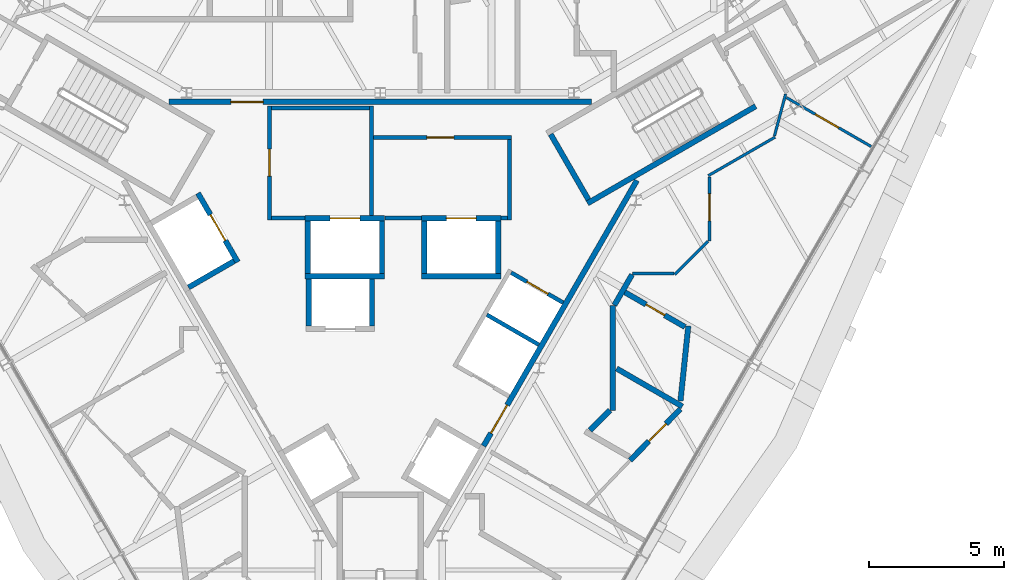
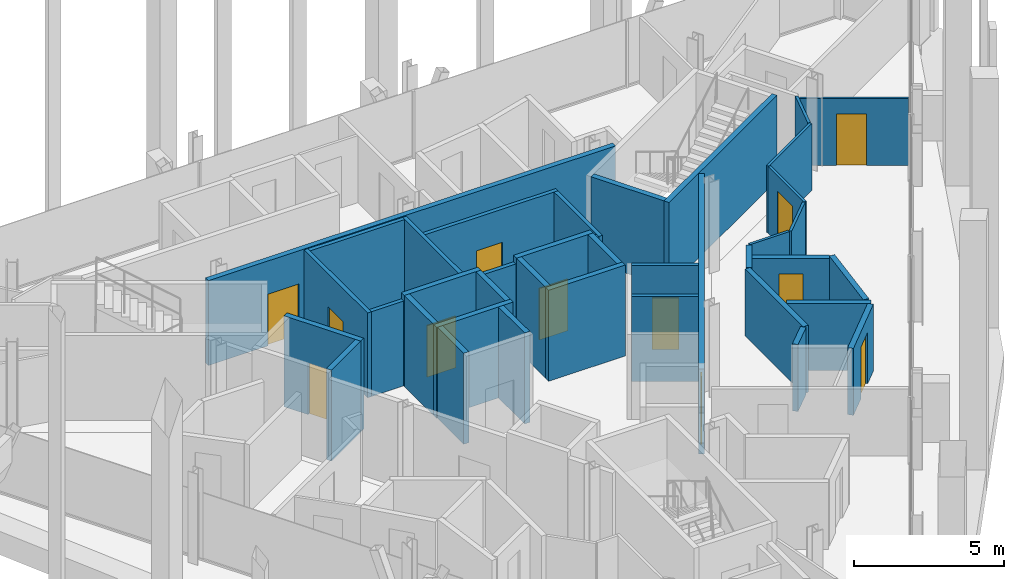
# One storey, part 9 of 13: 39 walls, 12 doors, 12 openings.
"""IFC4 building model written with IfcOpenShell, lengths in metres."""

from ifc_helpers import new_model, si_unit, direction, frame, frame_2d, origin, place, context, subcontext, project, spatial, rectangle, extrude, material, layer, layer_set, type_object, element, fill, save


model = new_model("IFC4")

# Units and contexts
model_context = context("Model", 3, precision=1e-05, world=origin(), true_north=direction((0.0, 1.0)))
body_context = subcontext(model_context, "Body", "Model", "MODEL_VIEW")
ifc_project = project(units=[si_unit("LENGTHUNIT", "METRE"), si_unit("AREAUNIT", "SQUARE_METRE"), si_unit("VOLUMEUNIT", "CUBIC_METRE"), si_unit("PLANEANGLEUNIT", "RADIAN"), si_unit("MASSUNIT", "GRAM", prefix="KILO")], contexts=[model_context])

# Site, building, storey
site_placement = place(None, origin())
site = spatial("IfcSite", under=ifc_project, at=site_placement, CompositionType="ELEMENT")
building_placement = place(site_placement, origin())
building = spatial("IfcBuilding", under=site, at=building_placement, Name="Verrane Prism Tower", CompositionType="ELEMENT")
storey_placement = place(building_placement, frame((0.0, 0.0, 286.199951171875)))
storey = spatial("IfcBuildingStorey", under=building, at=storey_placement, Name="L72", CompositionType="ELEMENT", Elevation=286.199951171875)

# Wall, opening, door
ifc_material_1 = material(Name="Gypsum board partition", Category="other")
ifc_layer_1 = layer(ifc_material_1, 0.199951171875)
ifc_layer_set_1 = layer_set([ifc_layer_1], Name="CW-200 core boundary wall 2 h")
wall_type_1 = type_object("IfcWallType", Name="CW-200 core boundary wall 2 h", PredefinedType="PARTITIONING", material=ifc_layer_set_1)
wall_1_placement = place(storey_placement, frame((7.8291015625, 6.4599609375, 0.0), z_axis=(0.0, 0.0, 1.0), x_axis=(-1.0, 0.0, 0.0)))
wall_1 = element("IfcWall", 1, at=wall_1_placement, inside=storey, type_object=wall_type_1, Name="Core boundary wall CW3-002", PredefinedType="PARTITIONING", context=body_context, shape_type="SweptSolid", body=[
    extrude(rectangle(XDim=15.658203125, YDim=0.199951171875, at=frame_2d((7.8291015625, 0.0))), origin(), (0.0, 0.0, 1.0), 3.449951171875),
])
opening_1_placement = place(wall_1_placement, frame((12.16796875, 0.0, 0.0)))
opening_1 = element("IfcOpeningElement", 2, at=opening_1_placement, cuts=wall_1, Name="Opening D72509", PredefinedType="OPENING", context=body_context, shape_type="SweptSolid", body=[
    extrude(rectangle(XDim=1.199951171875, YDim=2.10009765625, at=frame_2d((0.60009765625, 1.050048828125))), frame((0.0, 0.10986328125, 0.0), z_axis=(0.0, -1.0, 0.0), x_axis=(1.0, 0.0, 0.0)), (0.0, 0.0, 1.0), 0.219970703125),
])
ifc_material_2 = material(Name="Timber veneered door leaf", Category="wood")
door_type_1 = type_object("IfcDoorType", Name="DR-1200x2100 FD60 single leaf lift lobby", OperationType="NOTDEFINED", PredefinedType="DOOR", material=ifc_material_2)
door_1_placement = place(opening_1_placement, origin())
door_1 = element("IfcDoor", 3, at=door_1_placement, inside=storey, type_object=door_type_1, Name="Lift lobby door D72509", OperationType="SINGLE_SWING_RIGHT", OverallHeight=2.10009765625, OverallWidth=1.199951171875, PredefinedType="DOOR", context=body_context, shape_type="SweptSolid", body=[
    extrude(rectangle(XDim=1.199951171875, YDim=2.10009765625, at=frame_2d((0.60009765625, 1.050048828125))), frame((0.0, 0.02490234375, 0.0), z_axis=(0.0, -1.0, 0.0), x_axis=(1.0, 0.0, 0.0)), (0.0, 0.0, 1.0), 0.050048828125),
])
fill(opening_1, door_1)

wall_2_placement = place(storey_placement, frame((3.827880859375, -6.2900390625, 0.0), z_axis=(0.0, 0.0, 1.0), x_axis=(0.499979739078, 0.866037101117, 0.0)))
wall_2 = element("IfcWall", 4, at=wall_2_placement, inside=storey, type_object=wall_type_1, Name="Core boundary wall CW3-006", PredefinedType="PARTITIONING", context=body_context, shape_type="SweptSolid", body=[
    extrude(rectangle(XDim=11.36279296875, YDim=0.199951171875, at=frame_2d((5.681396484375, 0.0))), origin(), (0.0, 0.0, 1.0), 3.449951171875),
])
opening_2_placement = place(wall_2_placement, frame((0.550048828125, 0.0, 0.0)))
opening_2 = element("IfcOpeningElement", 5, at=opening_2_placement, cuts=wall_2, Name="Opening D72514", PredefinedType="OPENING", context=body_context, shape_type="SweptSolid", body=[
    extrude(rectangle(XDim=1.199951171875, YDim=2.10009765625, at=frame_2d((0.60009765625, 1.050048828125))), frame((0.0, 0.10986328125, 0.0), z_axis=(0.0, -1.0, 0.0), x_axis=(1.0, 0.0, 0.0)), (0.0, 0.0, 1.0), 0.219970703125),
])
door_2_placement = place(opening_2_placement, origin())
door_2 = element("IfcDoor", 6, at=door_2_placement, inside=storey, type_object=door_type_1, Name="Lift lobby door D72514", OperationType="SINGLE_SWING_RIGHT", OverallHeight=2.10009765625, OverallWidth=1.199951171875, PredefinedType="DOOR", context=body_context, shape_type="SweptSolid", body=[
    extrude(rectangle(XDim=1.199951171875, YDim=2.10009765625, at=frame_2d((0.60009765625, 1.050048828125))), frame((0.0, 0.02490234375, 0.0), z_axis=(0.0, -1.0, 0.0), x_axis=(1.0, 0.0, 0.0)), (0.0, 0.0, 1.0), 0.050048828125),
])
fill(opening_2, door_2)

# Walls
ifc_material_3 = material(Name="Concrete C40/50", Category="concrete")
ifc_layer_2 = layer(ifc_material_3, 0.199951171875)
ifc_layer_set_2 = layer_set([ifc_layer_2], Name="CW-200 stair core wall concrete C40/50 3 h")
wall_type_2 = type_object("IfcWallType", Name="CW-200 stair core wall concrete C40/50 3 h", PredefinedType="PARTITIONING", material=ifc_layer_set_2)
wall_3_placement = place(storey_placement, frame((7.67822265625, 2.700927734375, 0.0), z_axis=(0.0, 0.0, 1.0), x_axis=(0.866018442252, 0.500012057535, 0.0)))
element("IfcWall", 7, at=wall_3_placement, inside=storey, type_object=wall_type_2, Name="Stair 1 enclosure wall", PredefinedType="PARTITIONING", context=body_context, shape_type="SweptSolid", body=[
    extrude(rectangle(XDim=7.199951171875, YDim=0.199951171875, at=frame_2d((3.60009765625, 0.0))), origin(), (0.0, 0.0, 1.0), 3.449951171875),
])
wall_4_placement = place(storey_placement, frame((7.71484375, 2.837646484375, 0.0), z_axis=(0.0, 0.0, 1.0), x_axis=(-0.500049511043, 0.865996816683, 0.0)))
element("IfcWall", 8, at=wall_4_placement, inside=storey, type_object=wall_type_2, Name="Stair 1 enclosure wall", PredefinedType="PARTITIONING", context=body_context, shape_type="SweptSolid", body=[
    extrude(rectangle(XDim=2.800048828125, YDim=0.199951171875, at=frame_2d((1.39990234375, 0.0))), origin(), (0.0, 0.0, 1.0), 3.449951171875),
])
ifc_material_4 = material(Name="Gypsum board shaft wall assembly", Category="other")
ifc_layer_3 = layer(ifc_material_4, 0.199951171875)
ifc_layer_set_3 = layer_set([ifc_layer_3], Name="HW-200 lift shaft wall 2 h")
wall_type_3 = type_object("IfcWallType", Name="HW-200 lift shaft wall 2 h", PredefinedType="PARTITIONING", material=ifc_layer_set_3)
wall_5_placement = place(storey_placement, frame((-2.784912109375, 0.0, 0.0), z_axis=(0.0, 0.0, 1.0), x_axis=(1.0, 0.0, 0.0)))
element("IfcWall", 9, at=wall_5_placement, inside=storey, type_object=wall_type_3, Name="Lift shaft wall", PredefinedType="PARTITIONING", context=body_context, shape_type="SweptSolid", body=[
    extrude(rectangle(XDim=2.949951171875, YDim=0.199951171875, at=frame_2d((1.47509765625, 0.0))), origin(), (0.0, 0.0, 1.0), 3.699951171875),
])
wall_6_placement = place(storey_placement, frame((1.52490234375, 0.0, 0.0), z_axis=(0.0, 0.0, 1.0), x_axis=(1.0, 0.0, 0.0)))
element("IfcWall", 10, at=wall_6_placement, inside=storey, type_object=wall_type_3, Name="Lift shaft wall", PredefinedType="PARTITIONING", context=body_context, shape_type="SweptSolid", body=[
    extrude(rectangle(XDim=2.9501953125, YDim=0.199951171875, at=frame_2d((1.47509765625, 0.0))), origin(), (0.0, 0.0, 1.0), 3.699951171875),
])

# Wall, opening, door
wall_7_placement = place(storey_placement, frame((-2.784912109375, 2.14990234375, 0.0), z_axis=(0.0, 0.0, 1.0), x_axis=(1.0, 0.0, 0.0)))
wall_7 = element("IfcWall", 11, at=wall_7_placement, inside=storey, type_object=wall_type_3, Name="Lift shaft wall", PredefinedType="PARTITIONING", context=body_context, shape_type="SweptSolid", body=[
    extrude(rectangle(XDim=2.949951171875, YDim=0.199951171875, at=frame_2d((1.47509765625, 0.0))), origin(), (0.0, 0.0, 1.0), 3.699951171875),
])
opening_3_placement = place(wall_7_placement, frame((0.925048828125, 0.0, 0.0)))
opening_3 = element("IfcOpeningElement", 12, at=opening_3_placement, cuts=wall_7, Name="Opening D72506", PredefinedType="OPENING", context=body_context, shape_type="SweptSolid", body=[
    extrude(rectangle(XDim=1.10009765625, YDim=2.10009765625, at=frame_2d((0.550048828125, 1.050048828125))), frame((0.0, 0.10986328125, 0.0), z_axis=(0.0, -1.0, 0.0), x_axis=(1.0, 0.0, 0.0)), (0.0, 0.0, 1.0), 0.219970703125),
])
ifc_material_5 = material(Name="Stainless steel sliding landing door", Category="steel")
door_type_2 = type_object("IfcDoorType", Name="LD-1100x2100 lift landing door FD90 sliding", OperationType="NOTDEFINED", PredefinedType="DOOR", material=ifc_material_5)
door_3_placement = place(opening_3_placement, origin())
door_3 = element("IfcDoor", 13, at=door_3_placement, inside=storey, type_object=door_type_2, Name="Fire service lift 1 landing door", OperationType="SLIDING_TO_LEFT", OverallHeight=2.10009765625, OverallWidth=1.10009765625, PredefinedType="DOOR", context=body_context, shape_type="SweptSolid", body=[
    extrude(rectangle(XDim=1.10009765625, YDim=2.10009765625, at=frame_2d((0.550048828125, 1.050048828125))), frame((0.0, 0.02490234375, 0.0), z_axis=(0.0, -1.0, 0.0), x_axis=(1.0, 0.0, 0.0)), (0.0, 0.0, 1.0), 0.050048828125),
])
fill(opening_3, door_3)

wall_8_placement = place(storey_placement, frame((1.52490234375, 2.14990234375, 0.0), z_axis=(0.0, 0.0, 1.0), x_axis=(1.0, 0.0, 0.0)))
wall_8 = element("IfcWall", 14, at=wall_8_placement, inside=storey, type_object=wall_type_3, Name="Lift shaft wall", PredefinedType="PARTITIONING", context=body_context, shape_type="SweptSolid", body=[
    extrude(rectangle(XDim=2.9501953125, YDim=0.199951171875, at=frame_2d((1.47509765625, 0.0))), origin(), (0.0, 0.0, 1.0), 3.699951171875),
])
opening_4_placement = place(wall_8_placement, frame((0.925048828125, 0.0, 0.0)))
opening_4 = element("IfcOpeningElement", 15, at=opening_4_placement, cuts=wall_8, Name="Opening D72507", PredefinedType="OPENING", context=body_context, shape_type="SweptSolid", body=[
    extrude(rectangle(XDim=1.10009765625, YDim=2.10009765625, at=frame_2d((0.550048828125, 1.050048828125))), frame((0.0, 0.10986328125, 0.0), z_axis=(0.0, -1.0, 0.0), x_axis=(1.0, 0.0, 0.0)), (0.0, 0.0, 1.0), 0.219970703125),
])
door_4_placement = place(opening_4_placement, origin())
door_4 = element("IfcDoor", 16, at=door_4_placement, inside=storey, type_object=door_type_2, Name="Fire service lift 2 landing door", OperationType="SLIDING_TO_RIGHT", OverallHeight=2.10009765625, OverallWidth=1.10009765625, PredefinedType="DOOR", context=body_context, shape_type="SweptSolid", body=[
    extrude(rectangle(XDim=1.10009765625, YDim=2.10009765625, at=frame_2d((0.550048828125, 1.050048828125))), frame((0.0, 0.02490234375, 0.0), z_axis=(0.0, -1.0, 0.0), x_axis=(1.0, 0.0, 0.0)), (0.0, 0.0, 1.0), 0.050048828125),
])
fill(opening_4, door_4)

# Walls
for number, where, z_axis, x_axis, name in (
    (17, (-7.10546875, -0.4130859375, 0.0), (0.0, 0.0, 1.0), (0.866000020948, 0.500043961785, 0.0), "Lift shaft wall"),
    (18, (4.375, 0.10009765625, 0.0), (0.0, 0.0, 1.0), (0.0, 1.0, 0.0), "Lift shaft wall"),
    (19, (1.625, 0.10009765625, 0.0), (0.0, 0.0, 1.0), (0.0, 1.0, 0.0), "Lift shaft wall"),
    (20, (0.06494140625, 0.10009765625, 0.0), (0.0, 0.0, 1.0), (0.0, 1.0, 0.0), "Lift shaft wall"),
):
    element("IfcWall", number, at=place(storey_placement, frame(where, z_axis=z_axis, x_axis=x_axis)), inside=storey, type_object=wall_type_3, Name=name, PredefinedType="PARTITIONING", context=body_context, shape_type="SweptSolid", body=[
        extrude(rectangle(XDim=1.949951171875, YDim=0.199951171875, at=frame_2d((0.97509765625, 0.0))), origin(), (0.0, 0.0, 1.0), 3.699951171875),
    ])
for number, where, z_axis, x_axis, name in (
    (21, (-0.304931640625, -1.85009765625, 0.0), (0.0, 0.0, 1.0), (0.0, 1.0, 0.0), "Lift shaft wall"),
    (22, (-2.655029296875, -1.85009765625, 0.0), (0.0, 0.0, 1.0), (0.0, 1.0, 0.0), "Lift shaft wall"),
):
    element("IfcWall", number, at=place(storey_placement, frame(where, z_axis=z_axis, x_axis=x_axis)), inside=storey, type_object=wall_type_3, Name=name, PredefinedType="PARTITIONING", context=body_context, shape_type="SweptSolid", body=[
        extrude(rectangle(XDim=1.75, YDim=0.199951171875, at=frame_2d((0.875, 0.0))), origin(), (0.0, 0.0, 1.0), 3.699951171875),
    ])
wall_9_placement = place(storey_placement, frame((-2.68505859375, 0.10009765625, 0.0), z_axis=(0.0, 0.0, 1.0), x_axis=(0.0, 1.0, 0.0)))
element("IfcWall", 23, at=wall_9_placement, inside=storey, type_object=wall_type_3, Name="Lift shaft wall", PredefinedType="PARTITIONING", context=body_context, shape_type="SweptSolid", body=[
    extrude(rectangle(XDim=1.949951171875, YDim=0.199951171875, at=frame_2d((0.97509765625, 0.0))), origin(), (0.0, 0.0, 1.0), 3.699951171875),
])

# Wall, opening, door
wall_10_placement = place(storey_placement, frame((-5.280029296875, 0.525390625, 0.0), z_axis=(0.0, 0.0, 1.0), x_axis=(-0.500037662692, 0.866003658127, 0.0)))
wall_10 = element("IfcWall", 24, at=wall_10_placement, inside=storey, type_object=wall_type_3, Name="Lift shaft wall", PredefinedType="PARTITIONING", context=body_context, shape_type="SweptSolid", body=[
    extrude(rectangle(XDim=2.949951171875, YDim=0.199951171875, at=frame_2d((1.47509765625, 0.0))), origin(), (0.0, 0.0, 1.0), 3.699951171875),
])
opening_5_placement = place(wall_10_placement, frame((0.925048828125, 0.0, 0.0)))
opening_5 = element("IfcOpeningElement", 25, at=opening_5_placement, cuts=wall_10, Name="Opening D72508", PredefinedType="OPENING", context=body_context, shape_type="SweptSolid", body=[
    extrude(rectangle(XDim=1.10009765625, YDim=2.10009765625, at=frame_2d((0.550048828125, 1.050048828125))), frame((0.0, 0.10986328125, 0.0), z_axis=(0.0, -1.0, 0.0), x_axis=(1.0, 0.0, 0.0)), (0.0, 0.0, 1.0), 0.219970703125),
])
door_5_placement = place(opening_5_placement, origin())
door_5 = element("IfcDoor", 26, at=door_5_placement, inside=storey, type_object=door_type_2, Name="Service lift 1 landing door", OperationType="SLIDING_TO_LEFT", OverallHeight=2.10009765625, OverallWidth=1.10009765625, PredefinedType="DOOR", context=body_context, shape_type="SweptSolid", body=[
    extrude(rectangle(XDim=1.10009765625, YDim=2.10009765625, at=frame_2d((0.550048828125, 1.050048828125))), frame((0.0, 0.02490234375, 0.0), z_axis=(0.0, -1.0, 0.0), x_axis=(1.0, 0.0, 0.0)), (0.0, 0.0, 1.0), 0.050048828125),
])
fill(opening_5, door_5)

ifc_material_6 = material(Name="Gypsum board partition", Category="other")
ifc_layer_4 = layer(ifc_material_6, 0.14990234375)
ifc_layer_set_4 = layer_set([ifc_layer_4], Name="LF-150 firefighting lobby wall 1 h")
wall_type_4 = type_object("IfcWallType", Name="LF-150 firefighting lobby wall 1 h", PredefinedType="PARTITIONING", material=ifc_layer_set_4)
wall_11_placement = place(storey_placement, frame((-4.10009765625, 2.0849609375, 0.0), z_axis=(0.0, 0.0, 1.0), x_axis=(0.0, 1.0, 0.0)))
wall_11 = element("IfcWall", 27, at=wall_11_placement, inside=storey, type_object=wall_type_4, Name="Firefighting lobby wall LF1-001", PredefinedType="PARTITIONING", context=body_context, shape_type="SweptSolid", body=[
    extrude(rectangle(XDim=4.22998046875, YDim=0.14990234375, at=frame_2d((2.114990234375, 0.0))), origin(), (0.0, 0.0, 1.0), 3.449951171875),
])
opening_6_placement = place(wall_11_placement, frame((1.625, 0.0, 0.0)))
opening_6 = element("IfcOpeningElement", 28, at=opening_6_placement, cuts=wall_11, Name="Opening D72511", PredefinedType="OPENING", context=body_context, shape_type="SweptSolid", body=[
    extrude(rectangle(XDim=1.0, YDim=2.10009765625, at=frame_2d((0.5, 1.050048828125))), frame((0.0, 0.0849609375, 0.0), z_axis=(0.0, -1.0, 0.0), x_axis=(1.0, 0.0, 0.0)), (0.0, 0.0, 1.0), 0.169921875),
])
ifc_material_7 = material(Name="Timber veneered door leaf", Category="wood")
door_type_3 = type_object("IfcDoorType", Name="DR-1000x2100 FD60 single leaf firefighting lobby", OperationType="NOTDEFINED", PredefinedType="DOOR", material=ifc_material_7)
door_6_placement = place(opening_6_placement, origin())
door_6 = element("IfcDoor", 29, at=door_6_placement, inside=storey, type_object=door_type_3, Name="Firefighting lobby door D72511", OperationType="SINGLE_SWING_RIGHT", OverallHeight=2.10009765625, OverallWidth=1.0, PredefinedType="DOOR", context=body_context, shape_type="SweptSolid", body=[
    extrude(rectangle(XDim=1.0, YDim=2.10009765625, at=frame_2d((0.5, 1.050048828125))), frame((0.0, 0.02490234375, 0.0), z_axis=(0.0, -1.0, 0.0), x_axis=(1.0, 0.0, 0.0)), (0.0, 0.0, 1.0), 0.050048828125),
])
fill(opening_6, door_6)

# Walls
wall_12_placement = place(storey_placement, frame((-4.02490234375, 2.159912109375, 0.0), z_axis=(0.0, 0.0, 1.0), x_axis=(1.0, 0.0, 0.0)))
element("IfcWall", 30, at=wall_12_placement, inside=storey, type_object=wall_type_4, Name="Firefighting lobby wall LF1-002", PredefinedType="PARTITIONING", context=body_context, shape_type="SweptSolid", body=[
    extrude(rectangle(XDim=1.23779296875, YDim=0.14990234375, at=frame_2d((0.618896484375, 0.0))), origin(), (0.0, 0.0, 1.0), 3.449951171875),
])
wall_13_placement = place(storey_placement, frame((-4.02490234375, 6.239990234375, 0.0), z_axis=(0.0, 0.0, 1.0), x_axis=(1.0, 0.0, 0.0)))
element("IfcWall", 31, at=wall_13_placement, inside=storey, type_object=wall_type_4, Name="Firefighting lobby wall LF1-003", PredefinedType="PARTITIONING", context=body_context, shape_type="SweptSolid", body=[
    extrude(rectangle(XDim=3.6298828125, YDim=0.14990234375, at=frame_2d((1.81494140625, 0.0))), origin(), (0.0, 0.0, 1.0), 3.449951171875),
])
wall_14_placement = place(storey_placement, frame((-0.320068359375, 2.251953125, 0.0), z_axis=(0.0, 0.0, 1.0), x_axis=(0.0, 1.0, 0.0)))
element("IfcWall", 32, at=wall_14_placement, inside=storey, type_object=wall_type_4, Name="Firefighting lobby wall LF1-004", PredefinedType="PARTITIONING", context=body_context, shape_type="SweptSolid", body=[
    extrude(rectangle(XDim=4.06298828125, YDim=0.14990234375, at=frame_2d((2.031494140625, 0.0))), origin(), (0.0, 0.0, 1.0), 3.449951171875),
])

# Wall, opening, door
wall_15_placement = place(storey_placement, frame((-0.2451171875, 5.139892578125, 0.0), z_axis=(0.0, 0.0, 1.0), x_axis=(1.0, 0.0, 0.0)))
wall_15 = element("IfcWall", 33, at=wall_15_placement, inside=storey, type_object=wall_type_4, Name="Firefighting lobby wall LF1-005", PredefinedType="PARTITIONING", context=body_context, shape_type="SweptSolid", body=[
    extrude(rectangle(XDim=5.110107421875, YDim=0.14990234375, at=frame_2d((2.55517578125, 0.0))), origin(), (0.0, 0.0, 1.0), 3.449951171875),
])
opening_7_placement = place(wall_15_placement, frame((1.97509765625, 0.0, 0.0)))
opening_7 = element("IfcOpeningElement", 34, at=opening_7_placement, cuts=wall_15, Name="Opening D72512", PredefinedType="OPENING", context=body_context, shape_type="SweptSolid", body=[
    extrude(rectangle(XDim=1.0, YDim=2.10009765625, at=frame_2d((0.5, 1.050048828125))), frame((0.0, 0.0849609375, 0.0), z_axis=(0.0, -1.0, 0.0), x_axis=(1.0, 0.0, 0.0)), (0.0, 0.0, 1.0), 0.169921875),
])
door_7_placement = place(opening_7_placement, origin())
door_7 = element("IfcDoor", 35, at=door_7_placement, inside=storey, type_object=door_type_3, Name="Firefighting lobby door D72512", OperationType="SINGLE_SWING_LEFT", OverallHeight=2.10009765625, OverallWidth=1.0, PredefinedType="DOOR", context=body_context, shape_type="SweptSolid", body=[
    extrude(rectangle(XDim=1.0, YDim=2.10009765625, at=frame_2d((0.5, 1.050048828125))), frame((0.0, 0.02490234375, 0.0), z_axis=(0.0, -1.0, 0.0), x_axis=(1.0, 0.0, 0.0)), (0.0, 0.0, 1.0), 0.050048828125),
])
fill(opening_7, door_7)

# Walls
wall_16_placement = place(storey_placement, frame((0.1669921875, 2.159912109375, 0.0), z_axis=(0.0, 0.0, 1.0), x_axis=(1.0, 0.0, 0.0)))
element("IfcWall", 36, at=wall_16_placement, inside=storey, type_object=wall_type_4, Name="Firefighting lobby wall LF1-006", PredefinedType="PARTITIONING", context=body_context, shape_type="SweptSolid", body=[
    extrude(rectangle(XDim=1.35595703125, YDim=0.14990234375, at=frame_2d((0.677978515625, 0.0))), origin(), (0.0, 0.0, 1.0), 3.449951171875),
])
wall_17_placement = place(storey_placement, frame((4.47705078125, 2.159912109375, 0.0), z_axis=(0.0, 0.0, 1.0), x_axis=(1.0, 0.0, 0.0)))
element("IfcWall", 37, at=wall_17_placement, inside=storey, type_object=wall_type_4, Name="Firefighting lobby wall LF1-007", PredefinedType="PARTITIONING", context=body_context, shape_type="SweptSolid", body=[
    extrude(rectangle(XDim=0.238037109375, YDim=0.14990234375, at=frame_2d((0.119140625, 0.0))), origin(), (0.0, 0.0, 1.0), 3.449951171875),
])
wall_18_placement = place(storey_placement, frame((4.7900390625, 2.0849609375, 0.0), z_axis=(0.0, 0.0, 1.0), x_axis=(0.0, 1.0, 0.0)))
element("IfcWall", 38, at=wall_18_placement, inside=storey, type_object=wall_type_4, Name="Firefighting lobby wall LF1-008", PredefinedType="PARTITIONING", context=body_context, shape_type="SweptSolid", body=[
    extrude(rectangle(XDim=2.97998046875, YDim=0.14990234375, at=frame_2d((1.489990234375, 0.0))), origin(), (0.0, 0.0, 1.0), 3.449951171875),
])
ifc_material_8 = material(Name="Gypsum board partition", Category="other")
ifc_layer_5 = layer(ifc_material_8, 0.10009765625)
ifc_layer_set_5 = layer_set([ifc_layer_5], Name="PW-100 room partition")
wall_type_5 = type_object("IfcWallType", Name="PW-100 room partition", PredefinedType="PARTITIONING", material=ifc_layer_set_5)
wall_19_placement = place(storey_placement, frame((9.35302734375, 0.10107421875, 0.0), z_axis=(0.0, 0.0, 1.0), x_axis=(1.0, 0.0, 0.0)))
element("IfcWall", 39, at=wall_19_placement, inside=storey, type_object=wall_type_5, Name="Room partition 067", PredefinedType="PARTITIONING", context=body_context, shape_type="SweptSolid", body=[
    extrude(rectangle(XDim=1.52587890625, YDim=0.10009765625, at=frame_2d((0.762939453125, 0.0))), origin(), (0.0, 0.0, 1.0), 2.72314453125),
])
wall_20_placement = place(storey_placement, frame((10.91357421875, 0.065673828125, 0.0), z_axis=(0.0, 0.0, 1.0), x_axis=(0.707106781187, 0.707106781187, 0.0)))
element("IfcWall", 40, at=wall_20_placement, inside=storey, type_object=wall_type_5, Name="Room partition 068", PredefinedType="PARTITIONING", context=body_context, shape_type="SweptSolid", body=[
    extrude(rectangle(XDim=1.747802734375, YDim=0.10009765625, at=frame_2d((0.8740234375, 0.0))), origin(), (0.0, 0.0, 1.0), 2.72314453125),
])

# Wall, opening, door
wall_21_placement = place(storey_placement, frame((12.198974609375, 3.681884765625, 0.0), z_axis=(0.0, 0.0, 1.0), x_axis=(0.0, -1.0, 0.0)))
wall_21 = element("IfcWall", 41, at=wall_21_placement, inside=storey, type_object=wall_type_5, Name="Room partition 070", PredefinedType="PARTITIONING", context=body_context, shape_type="SweptSolid", body=[
    extrude(rectangle(XDim=2.380859375, YDim=0.10009765625, at=frame_2d((1.1904296875, 0.0))), origin(), (0.0, 0.0, 1.0), 2.72314453125),
])
opening_8_placement = place(wall_21_placement, frame((0.631103515625, 0.0, 0.0)))
opening_8 = element("IfcOpeningElement", 42, at=opening_8_placement, cuts=wall_21, Name="Opening D72005", PredefinedType="OPENING", context=body_context, shape_type="SweptSolid", body=[
    extrude(rectangle(XDim=1.0, YDim=2.10009765625, at=frame_2d((0.5, 1.050048828125))), frame((0.0, 0.06005859375, 0.0), z_axis=(0.0, -1.0, 0.0), x_axis=(1.0, 0.0, 0.0)), (0.0, 0.0, 1.0), 0.1201171875),
])
ifc_material_9 = material(Name="Timber veneered door leaf", Category="wood")
door_type_4 = type_object("IfcDoorType", Name="DR-1000x2100 single leaf inner", OperationType="NOTDEFINED", PredefinedType="DOOR", material=ifc_material_9)
door_8_placement = place(opening_8_placement, origin())
door_8 = element("IfcDoor", 43, at=door_8_placement, inside=storey, type_object=door_type_4, Name="Entrance Foyer door", OperationType="SINGLE_SWING_RIGHT", OverallHeight=2.10009765625, OverallWidth=1.0, PredefinedType="DOOR", context=body_context, shape_type="SweptSolid", body=[
    extrude(rectangle(XDim=1.0, YDim=2.10009765625, at=frame_2d((0.5, 1.050048828125))), frame((0.0, 0.02490234375, 0.0), z_axis=(0.0, -1.0, 0.0), x_axis=(1.0, 0.0, 0.0)), (0.0, 0.0, 1.0), 0.050048828125),
])
fill(opening_8, door_8)

# Walls
wall_22_placement = place(storey_placement, frame((12.15576171875, 3.72705078125, 0.0), z_axis=(0.0, 0.0, 1.0), x_axis=(0.866012137121, 0.500022977831, 0.0)))
element("IfcWall", 44, at=wall_22_placement, inside=storey, type_object=wall_type_5, Name="Room partition 071", PredefinedType="PARTITIONING", context=body_context, shape_type="SweptSolid", body=[
    extrude(rectangle(XDim=2.859619140625, YDim=0.10009765625, at=frame_2d((1.4296875, 0.0))), origin(), (0.0, 0.0, 1.0), 2.72314453125),
])
wall_23_placement = place(storey_placement, frame((14.607177734375, 5.19970703125, 0.0), z_axis=(0.0, 0.0, 1.0), x_axis=(0.258589257768, 0.965987368327, 0.0)))
element("IfcWall", 45, at=wall_23_placement, inside=storey, type_object=wall_type_5, Name="Room partition 078", PredefinedType="PARTITIONING", context=body_context, shape_type="SweptSolid", body=[
    extrude(rectangle(XDim=1.60693359375, YDim=0.10009765625, at=frame_2d((0.803466796875, 0.0))), origin(), (0.0, 0.0, 1.0), 2.72314453125),
])

# Wall, opening, door
wall_24_placement = place(storey_placement, frame((15.052490234375, 6.620361328125, 0.0), z_axis=(0.0, 0.0, 1.0), x_axis=(0.866029693906, -0.499992569217, 0.0)))
wall_24 = element("IfcWall", 46, at=wall_24_placement, inside=storey, type_object=wall_type_5, Name="Room partition 081", PredefinedType="PARTITIONING", context=body_context, shape_type="SweptSolid", body=[
    extrude(rectangle(XDim=3.625, YDim=0.10009765625, at=frame_2d((1.8125, 0.0))), origin(), (0.0, 0.0, 1.0), 2.72314453125),
])
opening_9_placement = place(wall_24_placement, frame((1.23486328125, 0.0, 0.0)))
opening_9 = element("IfcOpeningElement", 47, at=opening_9_placement, cuts=wall_24, Name="Opening D72007", PredefinedType="OPENING", context=body_context, shape_type="SweptSolid", body=[
    extrude(rectangle(XDim=1.0, YDim=2.10009765625, at=frame_2d((0.5, 1.050048828125))), frame((0.0, 0.06005859375, 0.0), z_axis=(0.0, -1.0, 0.0), x_axis=(1.0, 0.0, 0.0)), (0.0, 0.0, 1.0), 0.1201171875),
])
door_9_placement = place(opening_9_placement, origin())
door_9 = element("IfcDoor", 48, at=door_9_placement, inside=storey, type_object=door_type_4, Name="Living And Dining Room door", OperationType="SINGLE_SWING_LEFT", OverallHeight=2.10009765625, OverallWidth=1.0, PredefinedType="DOOR", context=body_context, shape_type="SweptSolid", body=[
    extrude(rectangle(XDim=1.0, YDim=2.10009765625, at=frame_2d((0.5, 1.050048828125))), frame((0.0, 0.02490234375, 0.0), z_axis=(0.0, -1.0, 0.0), x_axis=(1.0, 0.0, 0.0)), (0.0, 0.0, 1.0), 0.050048828125),
])
fill(opening_9, door_9)

# Walls
ifc_material_10 = material(Name="Gypsum board partition", Category="other")
ifc_layer_6 = layer(ifc_material_10, 0.199951171875)
ifc_layer_set_6 = layer_set([ifc_layer_6], Name="PW-200 plumbing wall")
wall_type_6 = type_object("IfcWallType", Name="PW-200 plumbing wall", PredefinedType="PARTITIONING", material=ifc_layer_set_6)
wall_25_placement = place(storey_placement, frame((7.77197265625, -5.7060546875, 0.0), z_axis=(0.0, 0.0, 1.0), x_axis=(0.707106781187, 0.707106781187, 0.0)))
element("IfcWall", 49, at=wall_25_placement, inside=storey, type_object=wall_type_6, Name="Plumbing wall 059", PredefinedType="PARTITIONING", context=body_context, shape_type="SweptSolid", body=[
    extrude(rectangle(XDim=1.043701171875, YDim=0.199951171875, at=frame_2d((0.52197265625, 0.0))), origin(), (0.0, 0.0, 1.0), 2.72314453125),
])
wall_26_placement = place(storey_placement, frame((8.60888671875, -4.968994140625, 0.0), z_axis=(0.0, 0.0, 1.0), x_axis=(0.0, 1.0, 0.0)))
element("IfcWall", 50, at=wall_26_placement, inside=storey, type_object=wall_type_6, Name="Plumbing wall 061", PredefinedType="PARTITIONING", context=body_context, shape_type="SweptSolid", body=[
    extrude(rectangle(XDim=3.881103515625, YDim=0.199951171875, at=frame_2d((1.9404296875, 0.0))), origin(), (0.0, 0.0, 1.0), 2.72314453125),
])
wall_27_placement = place(storey_placement, frame((8.759033203125, -3.419677734375, 0.0), z_axis=(0.0, 0.0, 1.0), x_axis=(0.866098885879, -0.499872703674, 0.0)))
element("IfcWall", 51, at=wall_27_placement, inside=storey, type_object=wall_type_6, Name="Plumbing wall 062", PredefinedType="PARTITIONING", context=body_context, shape_type="SweptSolid", body=[
    extrude(rectangle(XDim=2.813232421875, YDim=0.199951171875, at=frame_2d((1.40673828125, 0.0))), origin(), (0.0, 0.0, 1.0), 2.72314453125),
])
wall_28_placement = place(storey_placement, frame((8.676513671875, -1.071044921875, 0.0), z_axis=(0.0, 0.0, 1.0), x_axis=(0.49993245451, 0.866064397679, 0.0)))
element("IfcWall", 52, at=wall_28_placement, inside=storey, type_object=wall_type_6, Name="Plumbing wall 063", PredefinedType="PARTITIONING", context=body_context, shape_type="SweptSolid", body=[
    extrude(rectangle(XDim=1.308349609375, YDim=0.199951171875, at=frame_2d((0.654296875, 0.0))), origin(), (0.0, 0.0, 1.0), 2.72314453125),
])

# Wall, opening, door
wall_29_placement = place(storey_placement, frame((11.29248046875, -1.87890625, 0.0), z_axis=(0.0, 0.0, 1.0), x_axis=(-0.866123870273, 0.499829412243, 0.0)))
wall_29 = element("IfcWall", 53, at=wall_29_placement, inside=storey, type_object=wall_type_6, Name="Plumbing wall 065", PredefinedType="PARTITIONING", context=body_context, shape_type="SweptSolid", body=[
    extrude(rectangle(XDim=2.56884765625, YDim=0.199951171875, at=frame_2d((1.284423828125, 0.0))), origin(), (0.0, 0.0, 1.0), 2.72314453125),
])
opening_10_placement = place(wall_29_placement, frame((0.86865234375, 0.0, 0.0)))
opening_10 = element("IfcOpeningElement", 54, at=opening_10_placement, cuts=wall_29, Name="Opening D72008", PredefinedType="OPENING", context=body_context, shape_type="SweptSolid", body=[
    extrude(rectangle(XDim=0.800048828125, YDim=2.10009765625, at=frame_2d((0.39990234375, 1.050048828125))), frame((0.0, 0.10986328125, 0.0), z_axis=(0.0, -1.0, 0.0), x_axis=(1.0, 0.0, 0.0)), (0.0, 0.0, 1.0), 0.219970703125),
])
ifc_material_11 = material(Name="Timber veneered door leaf", Category="wood")
door_type_5 = type_object("IfcDoorType", Name="DR-800x2100 single leaf inner", OperationType="NOTDEFINED", PredefinedType="DOOR", material=ifc_material_11)
door_10_placement = place(opening_10_placement, origin())
door_10 = element("IfcDoor", 55, at=door_10_placement, inside=storey, type_object=door_type_5, Name="Bathroom door", OperationType="SINGLE_SWING_LEFT", OverallHeight=2.10009765625, OverallWidth=0.800048828125, PredefinedType="DOOR", context=body_context, shape_type="SweptSolid", body=[
    extrude(rectangle(XDim=0.800048828125, YDim=2.10009765625, at=frame_2d((0.39990234375, 1.050048828125))), frame((0.0, 0.02490234375, 0.0), z_axis=(0.0, -1.0, 0.0), x_axis=(1.0, 0.0, 0.0)), (0.0, 0.0, 1.0), 0.050048828125),
])
fill(opening_10, door_10)

wall_30_placement = place(storey_placement, frame((9.259033203125, -6.8212890625, 0.0), z_axis=(0.0, 0.0, 1.0), x_axis=(0.700360124324, 0.713789672282, 0.0)))
wall_30 = element("IfcWall", 56, at=wall_30_placement, inside=storey, type_object=wall_type_6, Name="Plumbing wall 066", PredefinedType="PARTITIONING", context=body_context, shape_type="SweptSolid", body=[
    extrude(rectangle(XDim=2.654296875, YDim=0.199951171875, at=frame_2d((1.3271484375, 0.0))), origin(), (0.0, 0.0, 1.0), 2.72314453125),
])
opening_11_placement = place(wall_30_placement, frame((1.0, 0.0, 0.0)))
opening_11 = element("IfcOpeningElement", 57, at=opening_11_placement, cuts=wall_30, Name="Opening D72006", PredefinedType="OPENING", context=body_context, shape_type="SweptSolid", body=[
    extrude(rectangle(XDim=0.89990234375, YDim=2.10009765625, at=frame_2d((0.449951171875, 1.050048828125))), frame((0.0, 0.10986328125, 0.0), z_axis=(0.0, -1.0, 0.0), x_axis=(1.0, 0.0, 0.0)), (0.0, 0.0, 1.0), 0.219970703125),
])
ifc_material_12 = material(Name="Timber veneered door leaf", Category="wood")
door_type_6 = type_object("IfcDoorType", Name="DR-900x2100 single leaf inner", OperationType="NOTDEFINED", PredefinedType="DOOR", material=ifc_material_12)
door_11_placement = place(opening_11_placement, origin())
door_11 = element("IfcDoor", 58, at=door_11_placement, inside=storey, type_object=door_type_6, Name="Kitchen door", OperationType="SINGLE_SWING_RIGHT", OverallHeight=2.10009765625, OverallWidth=0.89990234375, PredefinedType="DOOR", context=body_context, shape_type="SweptSolid", body=[
    extrude(rectangle(XDim=0.89990234375, YDim=2.10009765625, at=frame_2d((0.449951171875, 1.050048828125))), frame((0.0, 0.02490234375, 0.0), z_axis=(0.0, -1.0, 0.0), x_axis=(1.0, 0.0, 0.0)), (0.0, 0.0, 1.0), 0.050048828125),
])
fill(opening_11, door_11)

# Walls
wall_31_placement = place(storey_placement, frame((11.125, -4.621826171875, 0.0), z_axis=(0.0, 0.0, 1.0), x_axis=(0.103952036587, 0.99458231137, 0.0)))
element("IfcWall", 59, at=wall_31_placement, inside=storey, type_object=wall_type_6, Name="Plumbing wall 069", PredefinedType="PARTITIONING", context=body_context, shape_type="SweptSolid", body=[
    extrude(rectangle(XDim=2.79248046875, YDim=0.199951171875, at=frame_2d((1.396240234375, 0.0))), origin(), (0.0, 0.0, 1.0), 2.72314453125),
])
ifc_material_13 = material(Name="Gypsum board partition", Category="other")
ifc_layer_7 = layer(ifc_material_13, 0.14990234375)
ifc_layer_set_7 = layer_set([ifc_layer_7], Name="RS-150 riser enclosure wall 1 h")
wall_type_7 = type_object("IfcWallType", Name="RS-150 riser enclosure wall 1 h", PredefinedType="PARTITIONING", material=ifc_layer_set_7)
wall_32_placement = place(storey_placement, frame((3.950927734375, -1.426513671875, 0.0), z_axis=(0.0, 0.0, 1.0), x_axis=(0.866062920605, -0.499935013329, 0.0)))
element("IfcWall", 60, at=wall_32_placement, inside=storey, type_object=wall_type_7, Name="Riser wall RS3-003", PredefinedType="PARTITIONING", context=body_context, shape_type="SweptSolid", body=[
    extrude(rectangle(XDim=2.220458984375, YDim=0.14990234375, at=frame_2d((1.1103515625, 0.0))), origin(), (0.0, 0.0, 1.0), 3.449951171875),
])

# Wall, opening, door
wall_33_placement = place(storey_placement, frame((6.774169921875, -0.9775390625, 0.0), z_axis=(0.0, 0.0, 1.0), x_axis=(-0.866062920605, 0.499935013329, 0.0)))
wall_33 = element("IfcWall", 61, at=wall_33_placement, inside=storey, type_object=wall_type_7, Name="Riser wall RS3-004", PredefinedType="PARTITIONING", context=body_context, shape_type="SweptSolid", body=[
    extrude(rectangle(XDim=2.220458984375, YDim=0.14990234375, at=frame_2d((1.1103515625, 0.0))), origin(), (0.0, 0.0, 1.0), 3.449951171875),
])
opening_12_placement = place(wall_33_placement, frame((0.6455078125, 0.0, 0.0)))
opening_12 = element("IfcOpeningElement", 62, at=opening_12_placement, cuts=wall_33, Name="Opening D72515", PredefinedType="OPENING", context=body_context, shape_type="SweptSolid", body=[
    extrude(rectangle(XDim=0.89990234375, YDim=2.10009765625, at=frame_2d((0.449951171875, 1.050048828125))), frame((0.0, 0.0849609375, 0.0), z_axis=(0.0, -1.0, 0.0), x_axis=(1.0, 0.0, 0.0)), (0.0, 0.0, 1.0), 0.169921875),
])
ifc_material_14 = material(Name="Timber veneered door leaf", Category="wood")
door_type_7 = type_object("IfcDoorType", Name="DR-900x2100 FD60 single leaf riser", OperationType="NOTDEFINED", PredefinedType="DOOR", material=ifc_material_14)
door_12_placement = place(opening_12_placement, origin())
door_12 = element("IfcDoor", 63, at=door_12_placement, inside=storey, type_object=door_type_7, Name="Riser door D72515", OperationType="SINGLE_SWING_RIGHT", OverallHeight=2.10009765625, OverallWidth=0.89990234375, PredefinedType="DOOR", context=body_context, shape_type="SweptSolid", body=[
    extrude(rectangle(XDim=0.89990234375, YDim=2.10009765625, at=frame_2d((0.449951171875, 1.050048828125))), frame((0.0, 0.02490234375, 0.0), z_axis=(0.0, -1.0, 0.0), x_axis=(1.0, 0.0, 0.0)), (0.0, 0.0, 1.0), 0.050048828125),
])
fill(opening_12, door_12)

save(model, "model.ifc")
